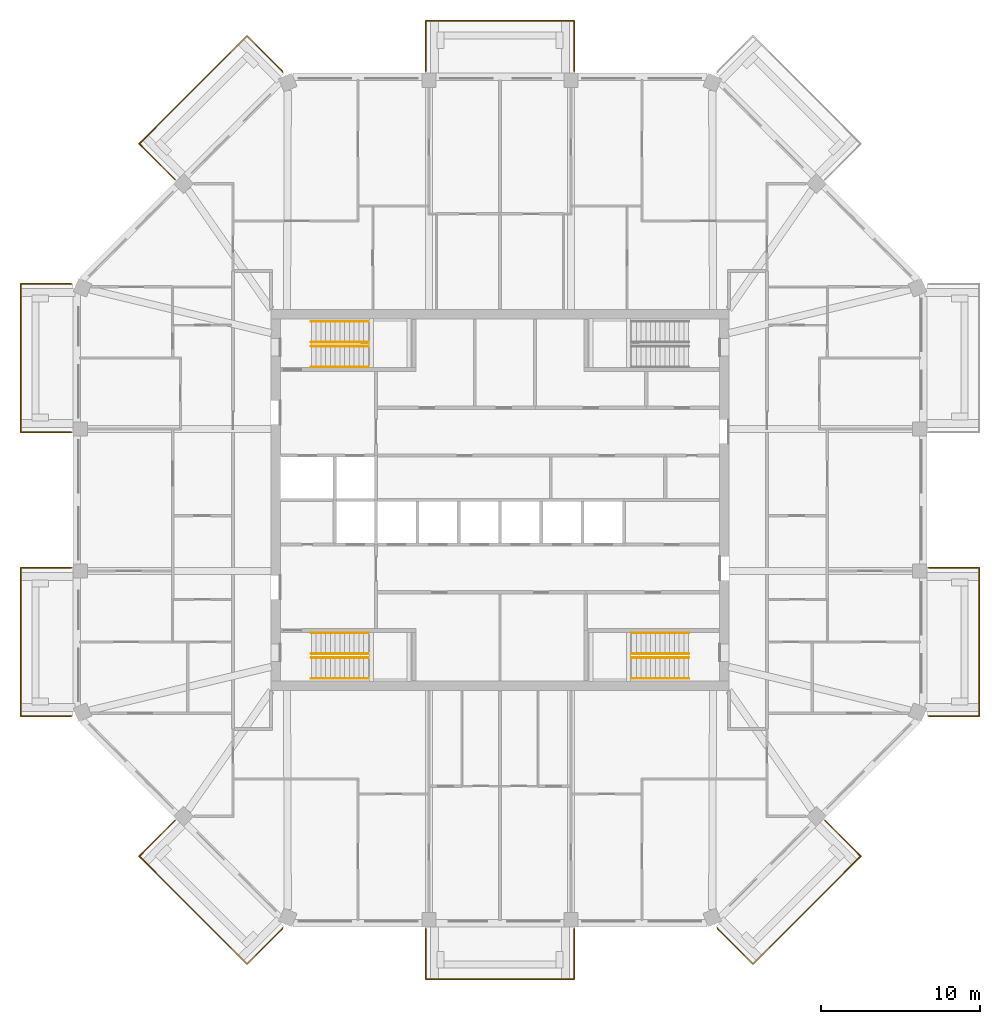
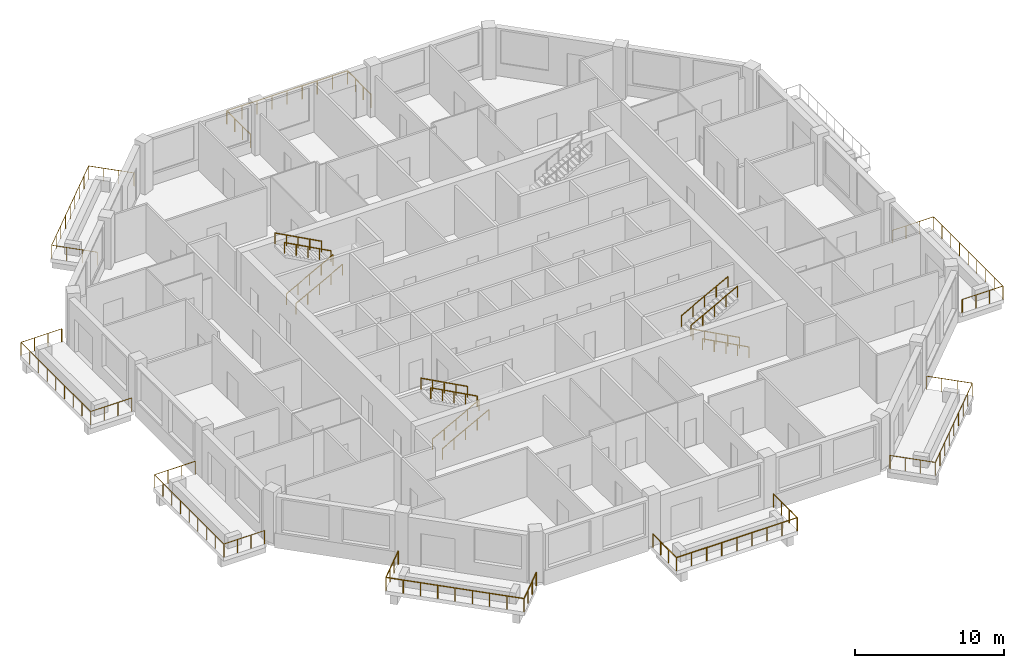
# One storey, part 11 of 12: 20 railings.
"""IFC4 building model written with IfcOpenShell, lengths in metres."""

from ifc_helpers import new_model, si_unit, direction, frame, origin, origin_2d, place, context, subcontext, project, spatial, circle, extrude, material, constituent, constituent_set, type_object, element, save


model = new_model("IFC4")

# Units and contexts
model_context = context("Model", 3, precision=1e-05, world=origin(), true_north=direction((0.0, 1.0)))
body_context = subcontext(model_context, "Body", "Model", "MODEL_VIEW")
ifc_project = project(units=[si_unit("LENGTHUNIT", "METRE"), si_unit("AREAUNIT", "SQUARE_METRE"), si_unit("VOLUMEUNIT", "CUBIC_METRE"), si_unit("PLANEANGLEUNIT", "RADIAN"), si_unit("MASSUNIT", "GRAM", prefix="KILO")], contexts=[model_context])

# Site, building, storey
site_placement = place(None, origin())
site = spatial("IfcSite", under=ifc_project, at=site_placement, CompositionType="ELEMENT")
building_placement = place(site_placement, origin())
building = spatial("IfcBuilding", under=site, at=building_placement, Name="Msitu Wima Residences", CompositionType="ELEMENT")
storey_placement = place(building_placement, frame((0.0, 0.0, 239.10009765625)))
storey = spatial("IfcBuildingStorey", under=building, at=storey_placement, Name="L55", CompositionType="ELEMENT", Elevation=239.10009765625)

# Railings
ifc_material_1 = material(Name="Steel S355", Category="steel")
ifc_constituent_1 = constituent(ifc_material_1, Name="Steel S355")
ifc_material_2 = material(Name="Weathering patina")
ifc_constituent_2 = constituent(ifc_material_2, Name="Weathering patina")
ifc_constituent_set_1 = constituent_set(constituents=[ifc_constituent_1, ifc_constituent_2], Name="Steel S355")
railing_type_1 = type_object("IfcRailingType", Name="Balcony guard GR1100", PredefinedType="GUARDRAIL", material=ifc_constituent_set_1)
railing_1_placement = place(storey_placement, frame((26.97998046875, -4.2685546875, 0.0)))
element("IfcRailing", 1, at=railing_1_placement, inside=storey, type_object=railing_type_1, Name="Balcony guard E0 L55", PredefinedType="GUARDRAIL", context=body_context, shape_type="SweptSolid", body=[
    extrude(circle(Radius=0.02392578125, at=origin_2d()), frame((0.0, 0.0, 1.076171875), z_axis=(1.0, 0.0, 0.0), x_axis=(0.0, 1.0, 0.0)), (0.0, 0.0, 1.0), 3.169921875),
    extrude(circle(Radius=0.02392578125, at=origin_2d()), frame((3.169921875, 0.0, 1.076171875), z_axis=(0.0, -1.0, 0.0), x_axis=(1.0, 0.0, 0.0)), (0.0, 0.0, 1.0), 9.33740234375),
    extrude(circle(Radius=0.02392578125, at=origin_2d()), frame((3.169921875, -9.33740234375, 1.076171875), z_axis=(-1.0, 0.0, 0.0), x_axis=(0.0, -1.0, 0.0)), (0.0, 0.0, 1.0), 3.136474609375),
    extrude(circle(Radius=0.02392578125, at=origin_2d()), frame((0.033447265625, -9.33740234375, 1.076171875), z_axis=(-0.923276184907, 0.384136806859, 0.0), x_axis=(-0.384136806859, -0.923276184907, 0.0)), (0.0, 0.0, 1.0), 0.0361328125),
    extrude(circle(Radius=0.02099609375, at=origin_2d()), origin(), (0.0, 0.0, 1.0), 1.052001953125),
    extrude(circle(Radius=0.02099609375, at=origin_2d()), frame((1.056640625, 0.0, 0.0)), (0.0, 0.0, 1.0), 1.052001953125),
    extrude(circle(Radius=0.02099609375, at=origin_2d()), frame((2.11328125, 0.0, 0.0)), (0.0, 0.0, 1.0), 1.052001953125),
    extrude(circle(Radius=0.02099609375, at=origin_2d()), frame((3.169921875, 0.0, 0.0)), (0.0, 0.0, 1.0), 1.052001953125),
    extrude(circle(Radius=0.02099609375, at=origin_2d()), frame((3.169921875, -1.167236328125, 0.0)), (0.0, 0.0, 1.0), 1.052001953125),
    extrude(circle(Radius=0.02099609375, at=origin_2d()), frame((3.169921875, -2.33447265625, 0.0)), (0.0, 0.0, 1.0), 1.052001953125),
    extrude(circle(Radius=0.02099609375, at=origin_2d()), frame((3.169921875, -3.50146484375, 0.0)), (0.0, 0.0, 1.0), 1.052001953125),
    extrude(circle(Radius=0.02099609375, at=origin_2d()), frame((3.169921875, -4.668701171875, 0.0)), (0.0, 0.0, 1.0), 1.052001953125),
    extrude(circle(Radius=0.02099609375, at=origin_2d()), frame((3.169921875, -5.8359375, 0.0)), (0.0, 0.0, 1.0), 1.052001953125),
    extrude(circle(Radius=0.02099609375, at=origin_2d()), frame((3.169921875, -7.0029296875, 0.0)), (0.0, 0.0, 1.0), 1.052001953125),
    extrude(circle(Radius=0.02099609375, at=origin_2d()), frame((3.169921875, -8.170166015625, 0.0)), (0.0, 0.0, 1.0), 1.052001953125),
    extrude(circle(Radius=0.02099609375, at=origin_2d()), frame((3.169921875, -9.33740234375, 0.0)), (0.0, 0.0, 1.0), 1.052001953125),
    extrude(circle(Radius=0.02099609375, at=origin_2d()), frame((2.12451171875, -9.33740234375, 0.0)), (0.0, 0.0, 1.0), 1.052001953125),
    extrude(circle(Radius=0.02099609375, at=origin_2d()), frame((1.078857421875, -9.33740234375, 0.0)), (0.0, 0.0, 1.0), 1.052001953125),
    extrude(circle(Radius=0.02099609375, at=origin_2d()), frame((0.033447265625, -9.33740234375, 0.0)), (0.0, 0.0, 1.0), 1.052001953125),
    extrude(circle(Radius=0.02099609375, at=origin_2d()), frame((0.0, -9.323486328125, 0.0)), (0.0, 0.0, 1.0), 1.052001953125),
])
railing_2_placement = place(storey_placement, frame((-4.668701171875, 26.97998046875, 0.0)))
element("IfcRailing", 2, at=railing_2_placement, inside=storey, type_object=railing_type_1, Name="Balcony guard N1 L55", PredefinedType="GUARDRAIL", context=body_context, shape_type="SweptSolid", body=[
    extrude(circle(Radius=0.02392578125, at=origin_2d()), frame((0.0, 0.0, 1.076171875), z_axis=(0.0, 1.0, 0.0), x_axis=(-1.0, 0.0, 0.0)), (0.0, 0.0, 1.0), 3.169921875),
    extrude(circle(Radius=0.02392578125, at=origin_2d()), frame((0.0, 3.169921875, 1.076171875), z_axis=(1.0, 0.0, 0.0), x_axis=(0.0, 1.0, 0.0)), (0.0, 0.0, 1.0), 9.33740234375),
    extrude(circle(Radius=0.02392578125, at=origin_2d()), frame((9.33740234375, 3.169921875, 1.076171875), z_axis=(0.0, -1.0, 0.0), x_axis=(1.0, 0.0, 0.0)), (0.0, 0.0, 1.0), 3.169921875),
    extrude(circle(Radius=0.02099609375, at=origin_2d()), origin(), (0.0, 0.0, 1.0), 1.052001953125),
    extrude(circle(Radius=0.02099609375, at=origin_2d()), frame((0.0, 1.056640625, 0.0)), (0.0, 0.0, 1.0), 1.052001953125),
    extrude(circle(Radius=0.02099609375, at=origin_2d()), frame((0.0, 2.11328125, 0.0)), (0.0, 0.0, 1.0), 1.052001953125),
    extrude(circle(Radius=0.02099609375, at=origin_2d()), frame((0.0, 3.169921875, 0.0)), (0.0, 0.0, 1.0), 1.052001953125),
    extrude(circle(Radius=0.02099609375, at=origin_2d()), frame((1.167236328125, 3.169921875, 0.0)), (0.0, 0.0, 1.0), 1.052001953125),
    extrude(circle(Radius=0.02099609375, at=origin_2d()), frame((2.33447265625, 3.169921875, 0.0)), (0.0, 0.0, 1.0), 1.052001953125),
    extrude(circle(Radius=0.02099609375, at=origin_2d()), frame((3.50146484375, 3.169921875, 0.0)), (0.0, 0.0, 1.0), 1.052001953125),
    extrude(circle(Radius=0.02099609375, at=origin_2d()), frame((4.668701171875, 3.169921875, 0.0)), (0.0, 0.0, 1.0), 1.052001953125),
    extrude(circle(Radius=0.02099609375, at=origin_2d()), frame((5.8359375, 3.169921875, 0.0)), (0.0, 0.0, 1.0), 1.052001953125),
    extrude(circle(Radius=0.02099609375, at=origin_2d()), frame((7.0029296875, 3.169921875, 0.0)), (0.0, 0.0, 1.0), 1.052001953125),
    extrude(circle(Radius=0.02099609375, at=origin_2d()), frame((8.170166015625, 3.169921875, 0.0)), (0.0, 0.0, 1.0), 1.052001953125),
    extrude(circle(Radius=0.02099609375, at=origin_2d()), frame((9.33740234375, 3.169921875, 0.0)), (0.0, 0.0, 1.0), 1.052001953125),
    extrude(circle(Radius=0.02099609375, at=origin_2d()), frame((9.33740234375, 2.11328125, 0.0)), (0.0, 0.0, 1.0), 1.052001953125),
    extrude(circle(Radius=0.02099609375, at=origin_2d()), frame((9.33740234375, 1.056640625, 0.0)), (0.0, 0.0, 1.0), 1.052001953125),
    extrude(circle(Radius=0.02099609375, at=origin_2d()), frame((9.33740234375, 0.0, 0.0)), (0.0, 0.0, 1.0), 1.052001953125),
])
railing_3_placement = place(storey_placement, frame((-20.45458984375, 20.171630859375, 0.0)))
element("IfcRailing", 3, at=railing_3_placement, inside=storey, type_object=railing_type_1, Name="Balcony guard NW0 L55", PredefinedType="GUARDRAIL", context=body_context, shape_type="SweptSolid", body=[
    extrude(circle(Radius=0.02392578125, at=origin_2d()), frame((0.0, 0.0, 1.076171875), z_axis=(-0.707106781187, 0.707106781187, 0.0), x_axis=(-0.707106781187, -0.707106781187, 0.0)), (0.0, 0.0, 1.0), 3.169921875),
    extrude(circle(Radius=0.02392578125, at=origin_2d()), frame((-2.241455078125, 2.241455078125, 1.076171875), z_axis=(0.707106781187, 0.707106781187, 0.0), x_axis=(-0.707106781187, 0.707106781187, 0.0)), (0.0, 0.0, 1.0), 9.58837890625),
    extrude(circle(Radius=0.02392578125, at=origin_2d()), frame((4.53857421875, 9.021484375, 1.076171875), z_axis=(0.707106781187, -0.707106781187, 0.0), x_axis=(0.707106781187, 0.707106781187, 0.0)), (0.0, 0.0, 1.0), 3.136474609375),
    extrude(circle(Radius=0.02392578125, at=origin_2d()), frame((6.75634765625, 6.8037109375, 1.076171875), z_axis=(0.38176015442, -0.92426142649, 0.0), x_axis=(0.92426142649, 0.38176015442, 0.0)), (0.0, 0.0, 1.0), 0.036376953125),
    extrude(circle(Radius=0.02099609375, at=origin_2d()), origin(), (0.0, 0.0, 1.0), 1.052001953125),
    extrude(circle(Radius=0.02099609375, at=origin_2d()), frame((-0.7470703125, 0.7470703125, 0.0)), (0.0, 0.0, 1.0), 1.052001953125),
    extrude(circle(Radius=0.02099609375, at=origin_2d()), frame((-1.494384765625, 1.494384765625, 0.0)), (0.0, 0.0, 1.0), 1.052001953125),
    extrude(circle(Radius=0.02099609375, at=origin_2d()), frame((-2.241455078125, 2.241455078125, 0.0)), (0.0, 0.0, 1.0), 1.052001953125),
    extrude(circle(Radius=0.02099609375, at=origin_2d()), frame((-1.39404296875, 3.0888671875, 0.0)), (0.0, 0.0, 1.0), 1.052001953125),
    extrude(circle(Radius=0.02099609375, at=origin_2d()), frame((-0.54638671875, 3.9365234375, 0.0)), (0.0, 0.0, 1.0), 1.052001953125),
    extrude(circle(Radius=0.02099609375, at=origin_2d()), frame((0.301025390625, 4.783935546875, 0.0)), (0.0, 0.0, 1.0), 1.052001953125),
    extrude(circle(Radius=0.02099609375, at=origin_2d()), frame((1.1484375, 5.63134765625, 0.0)), (0.0, 0.0, 1.0), 1.052001953125),
    extrude(circle(Radius=0.02099609375, at=origin_2d()), frame((1.99609375, 6.47900390625, 0.0)), (0.0, 0.0, 1.0), 1.052001953125),
    extrude(circle(Radius=0.02099609375, at=origin_2d()), frame((2.843505859375, 7.326416015625, 0.0)), (0.0, 0.0, 1.0), 1.052001953125),
    extrude(circle(Radius=0.02099609375, at=origin_2d()), frame((3.691162109375, 8.174072265625, 0.0)), (0.0, 0.0, 1.0), 1.052001953125),
    extrude(circle(Radius=0.02099609375, at=origin_2d()), frame((4.53857421875, 9.021484375, 0.0)), (0.0, 0.0, 1.0), 1.052001953125),
    extrude(circle(Radius=0.02099609375, at=origin_2d()), frame((5.27783203125, 8.2822265625, 0.0)), (0.0, 0.0, 1.0), 1.052001953125),
    extrude(circle(Radius=0.02099609375, at=origin_2d()), frame((6.01708984375, 7.54296875, 0.0)), (0.0, 0.0, 1.0), 1.052001953125),
    extrude(circle(Radius=0.02099609375, at=origin_2d()), frame((6.75634765625, 6.8037109375, 0.0)), (0.0, 0.0, 1.0), 1.052001953125),
    extrude(circle(Radius=0.02099609375, at=origin_2d()), frame((6.770263671875, 6.77001953125, 0.0)), (0.0, 0.0, 1.0), 1.052001953125),
])
railing_4_placement = place(storey_placement, frame((-26.97998046875, 4.2685546875, 0.0)))
element("IfcRailing", 4, at=railing_4_placement, inside=storey, type_object=railing_type_1, Name="Balcony guard W0 L55", PredefinedType="GUARDRAIL", context=body_context, shape_type="SweptSolid", body=[
    extrude(circle(Radius=0.02392578125, at=origin_2d()), frame((0.0, 0.0, 1.076171875), z_axis=(-1.0, 0.0, 0.0), x_axis=(0.0, -1.0, 0.0)), (0.0, 0.0, 1.0), 3.169921875),
    extrude(circle(Radius=0.02392578125, at=origin_2d()), frame((-3.169921875, 0.0, 1.076171875), z_axis=(0.0, 1.0, 0.0), x_axis=(-1.0, 0.0, 0.0)), (0.0, 0.0, 1.0), 9.33740234375),
    extrude(circle(Radius=0.02392578125, at=origin_2d()), frame((-3.169921875, 9.33740234375, 1.076171875), z_axis=(1.0, 0.0, 0.0), x_axis=(0.0, 1.0, 0.0)), (0.0, 0.0, 1.0), 3.136474609375),
    extrude(circle(Radius=0.02392578125, at=origin_2d()), frame((-0.033447265625, 9.33740234375, 1.076171875), z_axis=(0.923276184907, -0.384136806859, 0.0), x_axis=(0.384136806859, 0.923276184907, 0.0)), (0.0, 0.0, 1.0), 0.0361328125),
    extrude(circle(Radius=0.02099609375, at=origin_2d()), origin(), (0.0, 0.0, 1.0), 1.052001953125),
    extrude(circle(Radius=0.02099609375, at=origin_2d()), frame((-1.056640625, 0.0, 0.0)), (0.0, 0.0, 1.0), 1.052001953125),
    extrude(circle(Radius=0.02099609375, at=origin_2d()), frame((-2.11328125, 0.0, 0.0)), (0.0, 0.0, 1.0), 1.052001953125),
    extrude(circle(Radius=0.02099609375, at=origin_2d()), frame((-3.169921875, 0.0, 0.0)), (0.0, 0.0, 1.0), 1.052001953125),
    extrude(circle(Radius=0.02099609375, at=origin_2d()), frame((-3.169921875, 1.167236328125, 0.0)), (0.0, 0.0, 1.0), 1.052001953125),
    extrude(circle(Radius=0.02099609375, at=origin_2d()), frame((-3.169921875, 2.33447265625, 0.0)), (0.0, 0.0, 1.0), 1.052001953125),
    extrude(circle(Radius=0.02099609375, at=origin_2d()), frame((-3.169921875, 3.50146484375, 0.0)), (0.0, 0.0, 1.0), 1.052001953125),
    extrude(circle(Radius=0.02099609375, at=origin_2d()), frame((-3.169921875, 4.668701171875, 0.0)), (0.0, 0.0, 1.0), 1.052001953125),
    extrude(circle(Radius=0.02099609375, at=origin_2d()), frame((-3.169921875, 5.8359375, 0.0)), (0.0, 0.0, 1.0), 1.052001953125),
    extrude(circle(Radius=0.02099609375, at=origin_2d()), frame((-3.169921875, 7.0029296875, 0.0)), (0.0, 0.0, 1.0), 1.052001953125),
    extrude(circle(Radius=0.02099609375, at=origin_2d()), frame((-3.169921875, 8.170166015625, 0.0)), (0.0, 0.0, 1.0), 1.052001953125),
    extrude(circle(Radius=0.02099609375, at=origin_2d()), frame((-3.169921875, 9.33740234375, 0.0)), (0.0, 0.0, 1.0), 1.052001953125),
    extrude(circle(Radius=0.02099609375, at=origin_2d()), frame((-2.12451171875, 9.33740234375, 0.0)), (0.0, 0.0, 1.0), 1.052001953125),
    extrude(circle(Radius=0.02099609375, at=origin_2d()), frame((-1.078857421875, 9.33740234375, 0.0)), (0.0, 0.0, 1.0), 1.052001953125),
    extrude(circle(Radius=0.02099609375, at=origin_2d()), frame((-0.033447265625, 9.33740234375, 0.0)), (0.0, 0.0, 1.0), 1.052001953125),
    extrude(circle(Radius=0.02099609375, at=origin_2d()), frame((0.0, 9.323486328125, 0.0)), (0.0, 0.0, 1.0), 1.052001953125),
])
railing_5_placement = place(storey_placement, frame((-26.97998046875, -13.592041015625, 0.0)))
element("IfcRailing", 5, at=railing_5_placement, inside=storey, type_object=railing_type_1, Name="Balcony guard W2 L55", PredefinedType="GUARDRAIL", context=body_context, shape_type="SweptSolid", body=[
    extrude(circle(Radius=0.02392578125, at=origin_2d()), frame((0.0, 0.0, 1.076171875), z_axis=(-0.923276184907, -0.384136806859, 0.0), x_axis=(0.384136806859, -0.923276184907, 0.0)), (0.0, 0.0, 1.0), 0.0361328125),
    extrude(circle(Radius=0.02392578125, at=origin_2d()), frame((-0.033447265625, -0.013916015625, 1.076171875), z_axis=(-1.0, 0.0, 0.0), x_axis=(0.0, -1.0, 0.0)), (0.0, 0.0, 1.0), 3.136474609375),
    extrude(circle(Radius=0.02392578125, at=origin_2d()), frame((-3.169921875, -0.013916015625, 1.076171875), z_axis=(0.0, 1.0, 0.0), x_axis=(-1.0, 0.0, 0.0)), (0.0, 0.0, 1.0), 9.33740234375),
    extrude(circle(Radius=0.02392578125, at=origin_2d()), frame((-3.169921875, 9.323486328125, 1.076171875), z_axis=(1.0, 0.0, 0.0), x_axis=(0.0, 1.0, 0.0)), (0.0, 0.0, 1.0), 3.169921875),
    extrude(circle(Radius=0.02099609375, at=origin_2d()), origin(), (0.0, 0.0, 1.0), 1.052001953125),
    extrude(circle(Radius=0.02099609375, at=origin_2d()), frame((-0.033447265625, -0.013916015625, 0.0)), (0.0, 0.0, 1.0), 1.052001953125),
    extrude(circle(Radius=0.02099609375, at=origin_2d()), frame((-1.078857421875, -0.013916015625, 0.0)), (0.0, 0.0, 1.0), 1.052001953125),
    extrude(circle(Radius=0.02099609375, at=origin_2d()), frame((-2.12451171875, -0.013916015625, 0.0)), (0.0, 0.0, 1.0), 1.052001953125),
    extrude(circle(Radius=0.02099609375, at=origin_2d()), frame((-3.169921875, -0.013916015625, 0.0)), (0.0, 0.0, 1.0), 1.052001953125),
    extrude(circle(Radius=0.02099609375, at=origin_2d()), frame((-3.169921875, 1.1533203125, 0.0)), (0.0, 0.0, 1.0), 1.052001953125),
    extrude(circle(Radius=0.02099609375, at=origin_2d()), frame((-3.169921875, 2.3203125, 0.0)), (0.0, 0.0, 1.0), 1.052001953125),
    extrude(circle(Radius=0.02099609375, at=origin_2d()), frame((-3.169921875, 3.487548828125, 0.0)), (0.0, 0.0, 1.0), 1.052001953125),
    extrude(circle(Radius=0.02099609375, at=origin_2d()), frame((-3.169921875, 4.65478515625, 0.0)), (0.0, 0.0, 1.0), 1.052001953125),
    extrude(circle(Radius=0.02099609375, at=origin_2d()), frame((-3.169921875, 5.822021484375, 0.0)), (0.0, 0.0, 1.0), 1.052001953125),
    extrude(circle(Radius=0.02099609375, at=origin_2d()), frame((-3.169921875, 6.9892578125, 0.0)), (0.0, 0.0, 1.0), 1.052001953125),
    extrude(circle(Radius=0.02099609375, at=origin_2d()), frame((-3.169921875, 8.15625, 0.0)), (0.0, 0.0, 1.0), 1.052001953125),
    extrude(circle(Radius=0.02099609375, at=origin_2d()), frame((-3.169921875, 9.323486328125, 0.0)), (0.0, 0.0, 1.0), 1.052001953125),
    extrude(circle(Radius=0.02099609375, at=origin_2d()), frame((-2.11328125, 9.323486328125, 0.0)), (0.0, 0.0, 1.0), 1.052001953125),
    extrude(circle(Radius=0.02099609375, at=origin_2d()), frame((-1.056640625, 9.323486328125, 0.0)), (0.0, 0.0, 1.0), 1.052001953125),
    extrude(circle(Radius=0.02099609375, at=origin_2d()), frame((0.0, 9.323486328125, 0.0)), (0.0, 0.0, 1.0), 1.052001953125),
])
railing_6_placement = place(storey_placement, frame((-13.684326171875, -26.941650390625, 0.0)))
element("IfcRailing", 6, at=railing_6_placement, inside=storey, type_object=railing_type_1, Name="Balcony guard SW1 L55", PredefinedType="GUARDRAIL", context=body_context, shape_type="SweptSolid", body=[
    extrude(circle(Radius=0.02392578125, at=origin_2d()), frame((0.0, 0.0, 1.076171875), z_axis=(-0.38176015442, -0.92426142649, 0.0), x_axis=(0.92426142649, -0.38176015442, 0.0)), (0.0, 0.0, 1.0), 0.036376953125),
    extrude(circle(Radius=0.02392578125, at=origin_2d()), frame((-0.013916015625, -0.03369140625, 1.076171875), z_axis=(-0.707106781187, -0.707106781187, 0.0), x_axis=(0.707106781187, -0.707106781187, 0.0)), (0.0, 0.0, 1.0), 3.136474609375),
    extrude(circle(Radius=0.02392578125, at=origin_2d()), frame((-2.231689453125, -2.25146484375, 1.076171875), z_axis=(-0.707106781187, 0.707106781187, 0.0), x_axis=(-0.707106781187, -0.707106781187, 0.0)), (0.0, 0.0, 1.0), 9.58837890625),
    extrude(circle(Radius=0.02392578125, at=origin_2d()), frame((-9.01171875, 4.528564453125, 1.076171875), z_axis=(0.707106781187, 0.707106781187, 0.0), x_axis=(-0.707106781187, 0.707106781187, 0.0)), (0.0, 0.0, 1.0), 3.169921875),
    extrude(circle(Radius=0.02099609375, at=origin_2d()), origin(), (0.0, 0.0, 1.0), 1.052001953125),
    extrude(circle(Radius=0.02099609375, at=origin_2d()), frame((-0.013916015625, -0.03369140625, 0.0)), (0.0, 0.0, 1.0), 1.052001953125),
    extrude(circle(Radius=0.02099609375, at=origin_2d()), frame((-0.753173828125, -0.77294921875, 0.0)), (0.0, 0.0, 1.0), 1.052001953125),
    extrude(circle(Radius=0.02099609375, at=origin_2d()), frame((-1.492431640625, -1.51220703125, 0.0)), (0.0, 0.0, 1.0), 1.052001953125),
    extrude(circle(Radius=0.02099609375, at=origin_2d()), frame((-2.231689453125, -2.25146484375, 0.0)), (0.0, 0.0, 1.0), 1.052001953125),
    extrude(circle(Radius=0.02099609375, at=origin_2d()), frame((-3.0791015625, -1.404052734375, 0.0)), (0.0, 0.0, 1.0), 1.052001953125),
    extrude(circle(Radius=0.02099609375, at=origin_2d()), frame((-3.9267578125, -0.556396484375, 0.0)), (0.0, 0.0, 1.0), 1.052001953125),
    extrude(circle(Radius=0.02099609375, at=origin_2d()), frame((-4.774169921875, 0.291015625, 0.0)), (0.0, 0.0, 1.0), 1.052001953125),
    extrude(circle(Radius=0.02099609375, at=origin_2d()), frame((-5.62158203125, 1.138671875, 0.0)), (0.0, 0.0, 1.0), 1.052001953125),
    extrude(circle(Radius=0.02099609375, at=origin_2d()), frame((-6.46923828125, 1.986083984375, 0.0)), (0.0, 0.0, 1.0), 1.052001953125),
    extrude(circle(Radius=0.02099609375, at=origin_2d()), frame((-7.316650390625, 2.83349609375, 0.0)), (0.0, 0.0, 1.0), 1.052001953125),
    extrude(circle(Radius=0.02099609375, at=origin_2d()), frame((-8.164306640625, 3.68115234375, 0.0)), (0.0, 0.0, 1.0), 1.052001953125),
    extrude(circle(Radius=0.02099609375, at=origin_2d()), frame((-9.01171875, 4.528564453125, 0.0)), (0.0, 0.0, 1.0), 1.052001953125),
    extrude(circle(Radius=0.02099609375, at=origin_2d()), frame((-8.2646484375, 5.275634765625, 0.0)), (0.0, 0.0, 1.0), 1.052001953125),
    extrude(circle(Radius=0.02099609375, at=origin_2d()), frame((-7.517333984375, 6.02294921875, 0.0)), (0.0, 0.0, 1.0), 1.052001953125),
    extrude(circle(Radius=0.02099609375, at=origin_2d()), frame((-6.770263671875, 6.77001953125, 0.0)), (0.0, 0.0, 1.0), 1.052001953125),
])
railing_7_placement = place(storey_placement, frame((4.668701171875, -26.97998046875, 0.0)))
element("IfcRailing", 7, at=railing_7_placement, inside=storey, type_object=railing_type_1, Name="Balcony guard S1 L55", PredefinedType="GUARDRAIL", context=body_context, shape_type="SweptSolid", body=[
    extrude(circle(Radius=0.02392578125, at=origin_2d()), frame((0.0, 0.0, 1.076171875), z_axis=(0.0, -1.0, 0.0), x_axis=(1.0, 0.0, 0.0)), (0.0, 0.0, 1.0), 3.169921875),
    extrude(circle(Radius=0.02392578125, at=origin_2d()), frame((0.0, -3.169921875, 1.076171875), z_axis=(-1.0, 0.0, 0.0), x_axis=(0.0, -1.0, 0.0)), (0.0, 0.0, 1.0), 9.33740234375),
    extrude(circle(Radius=0.02392578125, at=origin_2d()), frame((-9.33740234375, -3.169921875, 1.076171875), z_axis=(0.0, 1.0, 0.0), x_axis=(-1.0, 0.0, 0.0)), (0.0, 0.0, 1.0), 3.169921875),
    extrude(circle(Radius=0.02099609375, at=origin_2d()), origin(), (0.0, 0.0, 1.0), 1.052001953125),
    extrude(circle(Radius=0.02099609375, at=origin_2d()), frame((0.0, -1.056640625, 0.0)), (0.0, 0.0, 1.0), 1.052001953125),
    extrude(circle(Radius=0.02099609375, at=origin_2d()), frame((0.0, -2.11328125, 0.0)), (0.0, 0.0, 1.0), 1.052001953125),
    extrude(circle(Radius=0.02099609375, at=origin_2d()), frame((0.0, -3.169921875, 0.0)), (0.0, 0.0, 1.0), 1.052001953125),
    extrude(circle(Radius=0.02099609375, at=origin_2d()), frame((-1.167236328125, -3.169921875, 0.0)), (0.0, 0.0, 1.0), 1.052001953125),
    extrude(circle(Radius=0.02099609375, at=origin_2d()), frame((-2.33447265625, -3.169921875, 0.0)), (0.0, 0.0, 1.0), 1.052001953125),
    extrude(circle(Radius=0.02099609375, at=origin_2d()), frame((-3.50146484375, -3.169921875, 0.0)), (0.0, 0.0, 1.0), 1.052001953125),
    extrude(circle(Radius=0.02099609375, at=origin_2d()), frame((-4.668701171875, -3.169921875, 0.0)), (0.0, 0.0, 1.0), 1.052001953125),
    extrude(circle(Radius=0.02099609375, at=origin_2d()), frame((-5.8359375, -3.169921875, 0.0)), (0.0, 0.0, 1.0), 1.052001953125),
    extrude(circle(Radius=0.02099609375, at=origin_2d()), frame((-7.0029296875, -3.169921875, 0.0)), (0.0, 0.0, 1.0), 1.052001953125),
    extrude(circle(Radius=0.02099609375, at=origin_2d()), frame((-8.170166015625, -3.169921875, 0.0)), (0.0, 0.0, 1.0), 1.052001953125),
    extrude(circle(Radius=0.02099609375, at=origin_2d()), frame((-9.33740234375, -3.169921875, 0.0)), (0.0, 0.0, 1.0), 1.052001953125),
    extrude(circle(Radius=0.02099609375, at=origin_2d()), frame((-9.33740234375, -2.11328125, 0.0)), (0.0, 0.0, 1.0), 1.052001953125),
    extrude(circle(Radius=0.02099609375, at=origin_2d()), frame((-9.33740234375, -1.056640625, 0.0)), (0.0, 0.0, 1.0), 1.052001953125),
    extrude(circle(Radius=0.02099609375, at=origin_2d()), frame((-9.33740234375, 0.0, 0.0)), (0.0, 0.0, 1.0), 1.052001953125),
])
railing_8_placement = place(storey_placement, frame((20.45458984375, -20.171630859375, 0.0)))
element("IfcRailing", 8, at=railing_8_placement, inside=storey, type_object=railing_type_1, Name="Balcony guard SE0 L55", PredefinedType="GUARDRAIL", context=body_context, shape_type="SweptSolid", body=[
    extrude(circle(Radius=0.02392578125, at=origin_2d()), frame((0.0, 0.0, 1.076171875), z_axis=(0.707106781187, -0.707106781187, 0.0), x_axis=(0.707106781187, 0.707106781187, 0.0)), (0.0, 0.0, 1.0), 3.169921875),
    extrude(circle(Radius=0.02392578125, at=origin_2d()), frame((2.241455078125, -2.241455078125, 1.076171875), z_axis=(-0.707106781187, -0.707106781187, 0.0), x_axis=(0.707106781187, -0.707106781187, 0.0)), (0.0, 0.0, 1.0), 9.58837890625),
    extrude(circle(Radius=0.02392578125, at=origin_2d()), frame((-4.53857421875, -9.021484375, 1.076171875), z_axis=(-0.707106781187, 0.707106781187, 0.0), x_axis=(-0.707106781187, -0.707106781187, 0.0)), (0.0, 0.0, 1.0), 3.136474609375),
    extrude(circle(Radius=0.02392578125, at=origin_2d()), frame((-6.75634765625, -6.8037109375, 1.076171875), z_axis=(-0.38176015442, 0.92426142649, 0.0), x_axis=(-0.92426142649, -0.38176015442, 0.0)), (0.0, 0.0, 1.0), 0.036376953125),
    extrude(circle(Radius=0.02099609375, at=origin_2d()), origin(), (0.0, 0.0, 1.0), 1.052001953125),
    extrude(circle(Radius=0.02099609375, at=origin_2d()), frame((0.7470703125, -0.7470703125, 0.0)), (0.0, 0.0, 1.0), 1.052001953125),
    extrude(circle(Radius=0.02099609375, at=origin_2d()), frame((1.494384765625, -1.494384765625, 0.0)), (0.0, 0.0, 1.0), 1.052001953125),
    extrude(circle(Radius=0.02099609375, at=origin_2d()), frame((2.241455078125, -2.241455078125, 0.0)), (0.0, 0.0, 1.0), 1.052001953125),
    extrude(circle(Radius=0.02099609375, at=origin_2d()), frame((1.39404296875, -3.0888671875, 0.0)), (0.0, 0.0, 1.0), 1.052001953125),
    extrude(circle(Radius=0.02099609375, at=origin_2d()), frame((0.54638671875, -3.9365234375, 0.0)), (0.0, 0.0, 1.0), 1.052001953125),
    extrude(circle(Radius=0.02099609375, at=origin_2d()), frame((-0.301025390625, -4.783935546875, 0.0)), (0.0, 0.0, 1.0), 1.052001953125),
    extrude(circle(Radius=0.02099609375, at=origin_2d()), frame((-1.1484375, -5.63134765625, 0.0)), (0.0, 0.0, 1.0), 1.052001953125),
    extrude(circle(Radius=0.02099609375, at=origin_2d()), frame((-1.99609375, -6.47900390625, 0.0)), (0.0, 0.0, 1.0), 1.052001953125),
    extrude(circle(Radius=0.02099609375, at=origin_2d()), frame((-2.843505859375, -7.326416015625, 0.0)), (0.0, 0.0, 1.0), 1.052001953125),
    extrude(circle(Radius=0.02099609375, at=origin_2d()), frame((-3.691162109375, -8.174072265625, 0.0)), (0.0, 0.0, 1.0), 1.052001953125),
    extrude(circle(Radius=0.02099609375, at=origin_2d()), frame((-4.53857421875, -9.021484375, 0.0)), (0.0, 0.0, 1.0), 1.052001953125),
    extrude(circle(Radius=0.02099609375, at=origin_2d()), frame((-5.27783203125, -8.2822265625, 0.0)), (0.0, 0.0, 1.0), 1.052001953125),
    extrude(circle(Radius=0.02099609375, at=origin_2d()), frame((-6.01708984375, -7.54296875, 0.0)), (0.0, 0.0, 1.0), 1.052001953125),
    extrude(circle(Radius=0.02099609375, at=origin_2d()), frame((-6.75634765625, -6.8037109375, 0.0)), (0.0, 0.0, 1.0), 1.052001953125),
    extrude(circle(Radius=0.02099609375, at=origin_2d()), frame((-6.770263671875, -6.77001953125, 0.0)), (0.0, 0.0, 1.0), 1.052001953125),
])
ifc_constituent_3 = constituent(ifc_material_1, Name="Steel S355")
ifc_material_3 = material(Name="Black powder coating")
ifc_constituent_4 = constituent(ifc_material_3, Name="Black powder coating")
ifc_constituent_set_2 = constituent_set(constituents=[ifc_constituent_3, ifc_constituent_4], Name="Steel S355")
railing_type_2 = type_object("IfcRailingType", Name="Stair handrail HR1", PredefinedType="HANDRAIL", material=ifc_constituent_set_2)
for number, where, name in (
    (9, (-11.875, 8.375, 0.161376953125), "Stair 1 handrail"),
    (10, (-11.875, 9.675048828125, 0.161376953125), "Stair 1 handrail"),
):
    element("IfcRailing", number, at=place(storey_placement, frame(where)), inside=storey, type_object=railing_type_2, Name=name, PredefinedType="HANDRAIL", context=body_context, shape_type="SweptSolid", body=[
        extrude(circle(Radius=0.02392578125, at=origin_2d()), frame((0.0, 0.0, 0.8759765625), z_axis=(0.880474934443, 0.0, 0.474092701714), x_axis=(0.0, 1.0, 0.0)), (0.0, 0.0, 1.0), 4.0888671875),
        extrude(circle(Radius=0.02099609375, at=origin_2d()), origin(), (0.0, 0.0, 1.0), 0.851806640625),
        extrude(circle(Radius=0.02099609375, at=origin_2d()), frame((0.89990234375, 0.0, 0.484619140625)), (0.0, 0.0, 1.0), 0.851806640625),
        extrude(circle(Radius=0.02099609375, at=origin_2d()), frame((1.800048828125, 0.0, 0.96923828125)), (0.0, 0.0, 1.0), 0.851806640625),
        extrude(circle(Radius=0.02099609375, at=origin_2d()), frame((2.7001953125, 0.0, 1.453857421875)), (0.0, 0.0, 1.0), 0.851806640625),
        extrude(circle(Radius=0.02099609375, at=origin_2d()), frame((3.60009765625, 0.0, 1.9384765625)), (0.0, 0.0, 1.0), 0.851806640625),
    ])
for number, where, name in (
    (11, (-8.27490234375, 9.925048828125, 2.261474609375), "Stair 1 handrail"),
    (12, (-8.27490234375, 11.22509765625, 2.261474609375), "Stair 1 handrail"),
):
    element("IfcRailing", number, at=place(storey_placement, frame(where)), inside=storey, type_object=railing_type_2, Name=name, PredefinedType="HANDRAIL", context=body_context, shape_type="SweptSolid", body=[
        extrude(circle(Radius=0.02392578125, at=origin_2d()), frame((0.0, 0.0, 0.8759765625), z_axis=(-0.880474934443, 0.0, 0.474092701714), x_axis=(0.0, -1.0, 0.0)), (0.0, 0.0, 1.0), 4.0888671875),
        extrude(circle(Radius=0.02099609375, at=origin_2d()), origin(), (0.0, 0.0, 1.0), 0.851806640625),
        extrude(circle(Radius=0.02099609375, at=origin_2d()), frame((-0.89990234375, 0.0, 0.484619140625)), (0.0, 0.0, 1.0), 0.851806640625),
        extrude(circle(Radius=0.02099609375, at=origin_2d()), frame((-1.800048828125, 0.0, 0.96923828125)), (0.0, 0.0, 1.0), 0.851806640625),
        extrude(circle(Radius=0.02099609375, at=origin_2d()), frame((-2.7001953125, 0.0, 1.453857421875)), (0.0, 0.0, 1.0), 0.851806640625),
        extrude(circle(Radius=0.02099609375, at=origin_2d()), frame((-3.60009765625, 0.0, 1.9384765625)), (0.0, 0.0, 1.0), 0.851806640625),
    ])
for number, where, name in (
    (13, (-11.875, -11.22509765625, 0.161376953125), "Stair 2 handrail"),
    (14, (-11.875, -9.925048828125, 0.161376953125), "Stair 2 handrail"),
):
    element("IfcRailing", number, at=place(storey_placement, frame(where)), inside=storey, type_object=railing_type_2, Name=name, PredefinedType="HANDRAIL", context=body_context, shape_type="SweptSolid", body=[
        extrude(circle(Radius=0.02392578125, at=origin_2d()), frame((0.0, 0.0, 0.8759765625), z_axis=(0.880474934443, 0.0, 0.474092701714), x_axis=(0.0, 1.0, 0.0)), (0.0, 0.0, 1.0), 4.0888671875),
        extrude(circle(Radius=0.02099609375, at=origin_2d()), origin(), (0.0, 0.0, 1.0), 0.851806640625),
        extrude(circle(Radius=0.02099609375, at=origin_2d()), frame((0.89990234375, 0.0, 0.484619140625)), (0.0, 0.0, 1.0), 0.851806640625),
        extrude(circle(Radius=0.02099609375, at=origin_2d()), frame((1.800048828125, 0.0, 0.96923828125)), (0.0, 0.0, 1.0), 0.851806640625),
        extrude(circle(Radius=0.02099609375, at=origin_2d()), frame((2.7001953125, 0.0, 1.453857421875)), (0.0, 0.0, 1.0), 0.851806640625),
        extrude(circle(Radius=0.02099609375, at=origin_2d()), frame((3.60009765625, 0.0, 1.9384765625)), (0.0, 0.0, 1.0), 0.851806640625),
    ])
for number, where, name in (
    (15, (-8.27490234375, -9.675048828125, 2.261474609375), "Stair 2 handrail"),
    (16, (-8.27490234375, -8.375, 2.261474609375), "Stair 2 handrail"),
    (17, (11.875, -11.22509765625, 0.161376953125), "Stair 4 handrail"),
    (18, (11.875, -9.925048828125, 0.161376953125), "Stair 4 handrail"),
):
    element("IfcRailing", number, at=place(storey_placement, frame(where)), inside=storey, type_object=railing_type_2, Name=name, PredefinedType="HANDRAIL", context=body_context, shape_type="SweptSolid", body=[
        extrude(circle(Radius=0.02392578125, at=origin_2d()), frame((0.0, 0.0, 0.8759765625), z_axis=(-0.880474934443, 0.0, 0.474092701714), x_axis=(0.0, -1.0, 0.0)), (0.0, 0.0, 1.0), 4.0888671875),
        extrude(circle(Radius=0.02099609375, at=origin_2d()), origin(), (0.0, 0.0, 1.0), 0.851806640625),
        extrude(circle(Radius=0.02099609375, at=origin_2d()), frame((-0.89990234375, 0.0, 0.484619140625)), (0.0, 0.0, 1.0), 0.851806640625),
        extrude(circle(Radius=0.02099609375, at=origin_2d()), frame((-1.800048828125, 0.0, 0.96923828125)), (0.0, 0.0, 1.0), 0.851806640625),
        extrude(circle(Radius=0.02099609375, at=origin_2d()), frame((-2.7001953125, 0.0, 1.453857421875)), (0.0, 0.0, 1.0), 0.851806640625),
        extrude(circle(Radius=0.02099609375, at=origin_2d()), frame((-3.60009765625, 0.0, 1.9384765625)), (0.0, 0.0, 1.0), 0.851806640625),
    ])
for number, where, name in (
    (19, (8.27490234375, -9.675048828125, 2.261474609375), "Stair 4 handrail"),
    (20, (8.27490234375, -8.375, 2.261474609375), "Stair 4 handrail"),
):
    element("IfcRailing", number, at=place(storey_placement, frame(where)), inside=storey, type_object=railing_type_2, Name=name, PredefinedType="HANDRAIL", context=body_context, shape_type="SweptSolid", body=[
        extrude(circle(Radius=0.02392578125, at=origin_2d()), frame((0.0, 0.0, 0.8759765625), z_axis=(0.880474934443, 0.0, 0.474092701714), x_axis=(0.0, 1.0, 0.0)), (0.0, 0.0, 1.0), 4.0888671875),
        extrude(circle(Radius=0.02099609375, at=origin_2d()), origin(), (0.0, 0.0, 1.0), 0.851806640625),
        extrude(circle(Radius=0.02099609375, at=origin_2d()), frame((0.89990234375, 0.0, 0.484619140625)), (0.0, 0.0, 1.0), 0.851806640625),
        extrude(circle(Radius=0.02099609375, at=origin_2d()), frame((1.800048828125, 0.0, 0.96923828125)), (0.0, 0.0, 1.0), 0.851806640625),
        extrude(circle(Radius=0.02099609375, at=origin_2d()), frame((2.7001953125, 0.0, 1.453857421875)), (0.0, 0.0, 1.0), 0.851806640625),
        extrude(circle(Radius=0.02099609375, at=origin_2d()), frame((3.60009765625, 0.0, 1.9384765625)), (0.0, 0.0, 1.0), 0.851806640625),
    ])

save(model, "model.ifc")
